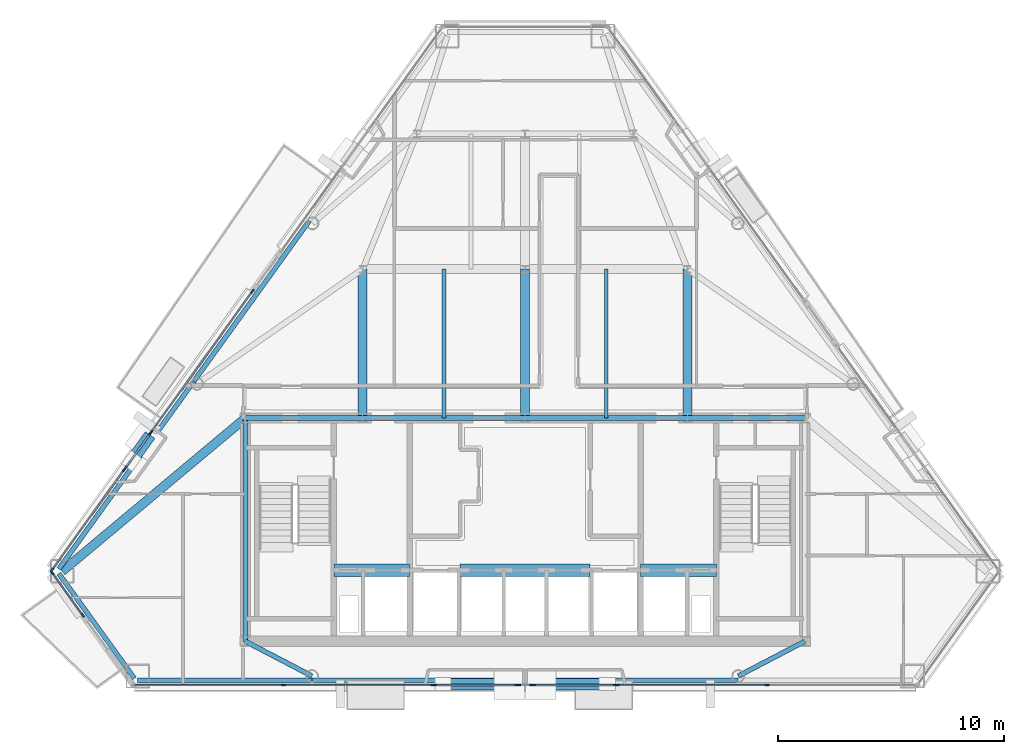
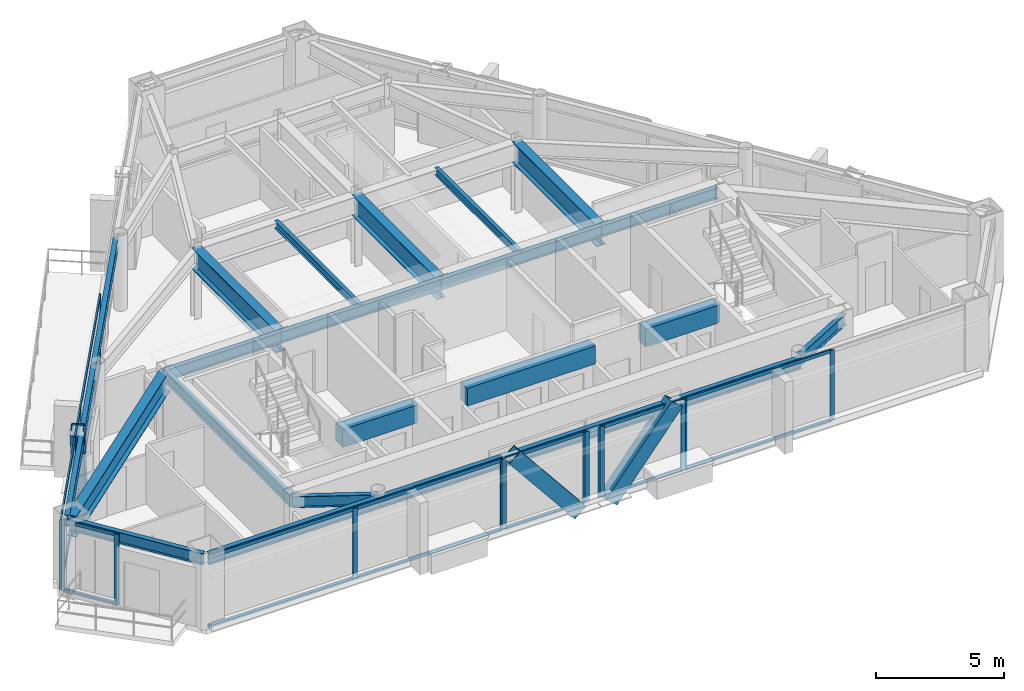
# One storey, part 3 of 12: 39 members, 21 beams, 9 elements without a shape of their own.
"""IFC4 building model written with IfcOpenShell, lengths in metres."""

from ifc_helpers import new_model, si_unit, direction, frame, origin, origin_2d, place, context, subcontext, project, spatial, rectangle, hollow_rectangle, i_section, extrude, material, layer, layer_set, material_profile, profile_set, type_object, element, aggregate, save


model = new_model("IFC4")

# Units and contexts
model_context = context("Model", 3, precision=1e-05, world=origin(), true_north=direction((0.0, 1.0)))
body_context = subcontext(model_context, "Body", "Model", "MODEL_VIEW")
ifc_project = project(units=[si_unit("LENGTHUNIT", "METRE"), si_unit("AREAUNIT", "SQUARE_METRE"), si_unit("VOLUMEUNIT", "CUBIC_METRE"), si_unit("PLANEANGLEUNIT", "RADIAN"), si_unit("MASSUNIT", "GRAM", prefix="KILO")], contexts=[model_context])

# Site, building, storey
site_placement = place(None, origin())
site = spatial("IfcSite", under=ifc_project, at=site_placement, CompositionType="ELEMENT")
building_placement = place(site_placement, origin())
building = spatial("IfcBuilding", under=site, at=building_placement, Name="Talgorran Terracotta Tower", CompositionType="ELEMENT")
storey_placement = place(building_placement, frame((0.0, 0.0, 189.300048828125)))
storey = spatial("IfcBuildingStorey", under=building, at=storey_placement, Name="L49", CompositionType="ELEMENT", Elevation=189.300048828125)

# Beams
ifc_material_1 = material(Name="Steel Grade 350 (350L0)", Category="steel")
ifc_material_profile_1 = material_profile(ifc_material_1, i_section(OverallWidth=0.39990234375, OverallDepth=1.0, WebThickness=0.01611328125, FlangeThickness=0.031005859375, at=origin_2d()), Name="1000WB296")
ifc_profile_set_1 = profile_set([ifc_material_profile_1], Name="Steel Grade 350 (350L0)")
beam_type_1 = type_object("IfcBeamType", Name="BM_1000WB296", PredefinedType="BEAM", material=ifc_profile_set_1)
for number, where, z_axis, x_axis, name in (
    (1, (-7.199951171875, -4.199951171875, 2.849853515625), (0.0, 1.0, 0.0), (-1.0, 0.0, 0.0), "L49 Floor Girder G01"),
    (2, (0.0, -4.199951171875, 2.849853515625), (0.0, 1.0, 0.0), (-1.0, 0.0, 0.0), "L49 Floor Girder G02"),
    (3, (7.199951171875, -4.199951171875, 2.849853515625), (0.0, 1.0, 0.0), (-1.0, 0.0, 0.0), "L49 Floor Girder G03"),
):
    element("IfcBeam", number, at=place(storey_placement, frame(where, z_axis=z_axis, x_axis=x_axis)), inside=storey, type_object=beam_type_1, Name=name, PredefinedType="BEAM", context=body_context, shape_type="SweptSolid", body=[
        extrude(i_section(OverallWidth=0.39990234375, OverallDepth=1.0, WebThickness=0.01611328125, FlangeThickness=0.031005859375, at=origin_2d()), origin(), (0.0, 0.0, 1.0), 6.599853515625),
    ])
beam_1_placement = place(storey_placement, frame((-12.39990234375, -4.199951171875, 2.849853515625), z_axis=(-0.767197947413, -0.641410406436, 0.0), x_axis=(0.641410406436, -0.767197947413, 0.0)))
element("IfcBeam", 4, at=beam_1_placement, inside=storey, type_object=beam_type_1, Name="L49 Floor Girder G17", PredefinedType="BEAM", context=body_context, shape_type="SweptSolid", body=[
    extrude(i_section(OverallWidth=0.39990234375, OverallDepth=1.0, WebThickness=0.01611328125, FlangeThickness=0.031005859375, at=origin_2d()), origin(), (0.0, 0.0, 1.0), 10.589599609375),
])
ifc_material_2 = material(Name="Concrete C50/60", Category="concrete")
ifc_material_profile_2 = material_profile(ifc_material_2, rectangle(XDim=0.550048828125, YDim=0.85009765625, at=origin_2d()), Name="RCCB550X850")
ifc_profile_set_2 = profile_set([ifc_material_profile_2], Name="Concrete C50/60")
beam_type_2 = type_object("IfcBeamType", Name="BM_CB_550X850", PredefinedType="LINTEL", material=ifc_profile_set_2)
beam_2_placement = place(storey_placement, frame((-8.47998046875, -10.949951171875, 2.925048828125), z_axis=(1.0, 0.0, 0.0), x_axis=(0.0, 1.0, 0.0)))
element("IfcBeam", 5, at=beam_2_placement, inside=storey, type_object=beam_type_2, Name="L49 Core Shear-Wall Coupling Beam CB1", PredefinedType="LINTEL", context=body_context, shape_type="SweptSolid", body=[
    extrude(rectangle(XDim=0.550048828125, YDim=0.85009765625, at=origin_2d()), origin(), (0.0, 0.0, 1.0), 3.35986328125),
])
beam_3_placement = place(storey_placement, frame((-2.8798828125, -10.949951171875, 2.925048828125), z_axis=(1.0, 0.0, 0.0), x_axis=(0.0, 1.0, 0.0)))
element("IfcBeam", 6, at=beam_3_placement, inside=storey, type_object=beam_type_2, Name="L49 Core Shear-Wall Coupling Beam CB2", PredefinedType="LINTEL", context=body_context, shape_type="SweptSolid", body=[
    extrude(rectangle(XDim=0.550048828125, YDim=0.85009765625, at=origin_2d()), origin(), (0.0, 0.0, 1.0), 5.759765625),
])
beam_4_placement = place(storey_placement, frame((5.1201171875, -10.949951171875, 2.925048828125), z_axis=(1.0, 0.0, 0.0), x_axis=(0.0, 1.0, 0.0)))
element("IfcBeam", 7, at=beam_4_placement, inside=storey, type_object=beam_type_2, Name="L49 Core Shear-Wall Coupling Beam CB3", PredefinedType="LINTEL", context=body_context, shape_type="SweptSolid", body=[
    extrude(rectangle(XDim=0.550048828125, YDim=0.85009765625, at=origin_2d()), origin(), (0.0, 0.0, 1.0), 3.35986328125),
])
ifc_material_3 = material(Name="Steel S355 (300PLUS)", Category="steel")
ifc_material_profile_3 = material_profile(ifc_material_3, i_section(OverallWidth=0.17138671875, OverallDepth=0.355712890625, WebThickness=0.00732421875, FlangeThickness=0.011474609375, at=origin_2d()), Name="360UB50.7")
ifc_profile_set_3 = profile_set([ifc_material_profile_3], Name="Steel S355 (300PLUS)")
beam_type_3 = type_object("IfcBeamType", Name="BM_JS_360UB51", PredefinedType="JOIST", material=ifc_profile_set_3)
for number, where, z_axis, x_axis, name in (
    (8, (-3.60009765625, -4.199951171875, 3.172119140625), (0.0, 1.0, 0.0), (-1.0, 0.0, 0.0), "L49 Secondary Joist J01"),
    (9, (3.60009765625, -4.199951171875, 3.172119140625), (0.0, 1.0, 0.0), (-1.0, 0.0, 0.0), "L49 Secondary Joist J02"),
):
    element("IfcBeam", number, at=place(storey_placement, frame(where, z_axis=z_axis, x_axis=x_axis)), inside=storey, type_object=beam_type_3, Name=name, PredefinedType="JOIST", context=body_context, shape_type="SweptSolid", body=[
        extrude(i_section(OverallWidth=0.17138671875, OverallDepth=0.355712890625, WebThickness=0.00732421875, FlangeThickness=0.011474609375, at=origin_2d()), origin(), (0.0, 0.0, 1.0), 6.599853515625),
    ])
ifc_material_profile_4 = material_profile(ifc_material_3, i_section(OverallWidth=0.209228515625, OverallDepth=0.532958984375, WebThickness=0.01025390625, FlangeThickness=0.015625, at=origin_2d()), Name="530UB92.4")
ifc_profile_set_4 = profile_set([ifc_material_profile_4], Name="Steel S355 (300PLUS)")
beam_type_4 = type_object("IfcBeamType", Name="BM_SP_530UB92", PredefinedType="SPANDREL", material=ifc_profile_set_4)
beam_5_placement = place(storey_placement, frame((-20.670166015625, -11.09716796875, 3.08349609375), z_axis=(0.583989111458, -0.811761490648, 0.0), x_axis=(0.811761490648, 0.583989111458, 0.0)))
element("IfcBeam", 10, at=beam_5_placement, inside=storey, type_object=beam_type_4, Name="L49 Perimeter Spandrel Beam MC1-MC2", PredefinedType="SPANDREL", context=body_context, shape_type="SweptSolid", body=[
    extrude(i_section(OverallWidth=0.209228515625, OverallDepth=0.532958984375, WebThickness=0.01025390625, FlangeThickness=0.015625, at=origin_2d()), origin(), (0.0, 0.0, 1.0), 5.72705078125),
])
beam_6_placement = place(storey_placement, frame((-17.1796875, -15.821044921875, 3.08349609375), z_axis=(1.0, 0.0, 0.0), x_axis=(0.0, 1.0, 0.0)))
element("IfcBeam", 11, at=beam_6_placement, inside=storey, type_object=beam_type_4, Name="L49 Perimeter Spandrel Beam MC2-FC1", PredefinedType="SPANDREL", context=body_context, shape_type="SweptSolid", body=[
    extrude(i_section(OverallWidth=0.209228515625, OverallDepth=0.532958984375, WebThickness=0.01025390625, FlangeThickness=0.015625, at=origin_2d()), origin(), (0.0, 0.0, 1.0), 7.73095703125),
])
beam_7_placement = place(storey_placement, frame((-9.44873046875, -15.821044921875, 3.08349609375), z_axis=(1.0, 0.0, 0.0), x_axis=(0.0, 1.0, 0.0)))
element("IfcBeam", 12, at=beam_7_placement, inside=storey, type_object=beam_type_4, Name="L49 Perimeter Spandrel Beam FC1-FC2", PredefinedType="SPANDREL", context=body_context, shape_type="SweptSolid", body=[
    extrude(i_section(OverallWidth=0.209228515625, OverallDepth=0.532958984375, WebThickness=0.01025390625, FlangeThickness=0.015625, at=origin_2d()), origin(), (0.0, 0.0, 1.0), 18.8974609375),
])
beam_8_placement = place(storey_placement, frame((-9.573486328125, 4.5380859375, 3.08349609375), z_axis=(-0.583976142064, -0.811770820799, 0.0), x_axis=(0.811770820799, -0.583976142064, 0.0)))
element("IfcBeam", 13, at=beam_8_placement, inside=storey, type_object=beam_type_4, Name="L49 Perimeter Spandrel Beam FC5-FC6", PredefinedType="SPANDREL", context=body_context, shape_type="SweptSolid", body=[
    extrude(i_section(OverallWidth=0.209228515625, OverallDepth=0.532958984375, WebThickness=0.01025390625, FlangeThickness=0.015625, at=origin_2d()), origin(), (0.0, 0.0, 1.0), 8.770263671875),
])
beam_9_placement = place(storey_placement, frame((-14.695068359375, -2.581298828125, 3.08349609375), z_axis=(-0.583984097587, -0.811765097651, 0.0), x_axis=(0.811765097651, -0.583984097587, 0.0)))
element("IfcBeam", 14, at=beam_9_placement, inside=storey, type_object=beam_type_4, Name="L49 Perimeter Spandrel Beam FC6-MC1", PredefinedType="SPANDREL", context=body_context, shape_type="SweptSolid", body=[
    extrude(i_section(OverallWidth=0.209228515625, OverallDepth=0.532958984375, WebThickness=0.01025390625, FlangeThickness=0.015625, at=origin_2d()), origin(), (0.0, 0.0, 1.0), 10.231689453125),
])
for number, where, z_axis, x_axis, name in (
    (15, (-9.44873046875, -15.64111328125, 3.08349609375), (-0.886427890303, 0.462866714394, 0.0), (-0.462866714394, -0.886427890303, 0.0), "L49 South-West Core Tie Beam"),
    (16, (12.39990234375, -14.10009765625, 3.08349609375), (-0.886427890303, -0.462866714394, 0.0), (0.462866714394, -0.886427890303, 0.0), "L49 South-East Core Tie Beam"),
):
    element("IfcBeam", number, at=place(storey_placement, frame(where, z_axis=z_axis, x_axis=x_axis)), inside=storey, type_object=beam_type_4, Name=name, PredefinedType="SPANDREL", context=body_context, shape_type="SweptSolid", body=[
        extrude(i_section(OverallWidth=0.209228515625, OverallDepth=0.532958984375, WebThickness=0.01025390625, FlangeThickness=0.015625, at=origin_2d()), origin(), (0.0, 0.0, 1.0), 3.329345703125),
    ])
beam_10_placement = place(storey_placement, frame((-12.39990234375, -14.10009765625, 3.08349609375), z_axis=(0.0, 1.0, 0.0), x_axis=(-1.0, 0.0, 0.0)))
element("IfcBeam", 17, at=beam_10_placement, inside=storey, type_object=beam_type_4, Name="L49 Core Frame Beam CFW", PredefinedType="SPANDREL", context=body_context, shape_type="SweptSolid", body=[
    extrude(i_section(OverallWidth=0.209228515625, OverallDepth=0.532958984375, WebThickness=0.01025390625, FlangeThickness=0.015625, at=origin_2d()), origin(), (0.0, 0.0, 1.0), 9.900146484375),
])
beam_11_placement = place(storey_placement, frame((-12.39990234375, -4.199951171875, 3.08349609375), z_axis=(1.0, 0.0, 0.0), x_axis=(0.0, 1.0, 0.0)))
element("IfcBeam", 18, at=beam_11_placement, inside=storey, type_object=beam_type_4, Name="L49 Core Frame Beam CFN1", PredefinedType="SPANDREL", context=body_context, shape_type="SweptSolid", body=[
    extrude(i_section(OverallWidth=0.209228515625, OverallDepth=0.532958984375, WebThickness=0.01025390625, FlangeThickness=0.015625, at=origin_2d()), origin(), (0.0, 0.0, 1.0), 5.199951171875),
])
for number, where, z_axis, x_axis, name in (
    (19, (-7.199951171875, -4.199951171875, 3.08349609375), (1.0, 0.0, 0.0), (0.0, 1.0, 0.0), "L49 Core Frame Beam CFN2"),
    (20, (0.0, -4.199951171875, 3.08349609375), (1.0, 0.0, 0.0), (0.0, 1.0, 0.0), "L49 Core Frame Beam CFN3"),
):
    element("IfcBeam", number, at=place(storey_placement, frame(where, z_axis=z_axis, x_axis=x_axis)), inside=storey, type_object=beam_type_4, Name=name, PredefinedType="SPANDREL", context=body_context, shape_type="SweptSolid", body=[
        extrude(i_section(OverallWidth=0.209228515625, OverallDepth=0.532958984375, WebThickness=0.01025390625, FlangeThickness=0.015625, at=origin_2d()), origin(), (0.0, 0.0, 1.0), 7.199951171875),
    ])
beam_12_placement = place(storey_placement, frame((7.199951171875, -4.199951171875, 3.08349609375), z_axis=(1.0, 0.0, 0.0), x_axis=(0.0, 1.0, 0.0)))
element("IfcBeam", 21, at=beam_12_placement, inside=storey, type_object=beam_type_4, Name="L49 Core Frame Beam CFN4", PredefinedType="SPANDREL", context=body_context, shape_type="SweptSolid", body=[
    extrude(i_section(OverallWidth=0.209228515625, OverallDepth=0.532958984375, WebThickness=0.01025390625, FlangeThickness=0.015625, at=origin_2d()), origin(), (0.0, 0.0, 1.0), 5.199951171875),
])

# Members
ifc_material_profile_5 = material_profile(ifc_material_1, hollow_rectangle(XDim=0.52001953125, YDim=0.659912109375, WallThickness=0.034912109375, at=origin_2d()), Name="WBOX660X520X35")
ifc_profile_set_5 = profile_set([ifc_material_profile_5], Name="Steel Grade 350 (350L0)")
member_type_1 = type_object("IfcMemberType", Name="MB_MEGA_660", PredefinedType="BRACE", material=ifc_profile_set_5)
for number, where, z_axis, x_axis, name in (
    (22, (-0.694580078125, -16.001220703125, -0.27001953125), (-0.629349450063, 0.0, 0.777122429033), (0.0, -1.0, 0.0), "L49 Exterior Face Mega-Brace MB-3 (SWF)"),
    (23, (0.694580078125, -16.001220703125, -0.27001953125), (0.629349450063, 0.0, 0.777122429033), (0.0, 1.0, 0.0), "L49 Exterior Face Mega-Brace MB-3 (SEF)"),
):
    element("IfcMember", number, at=place(storey_placement, frame(where, z_axis=z_axis, x_axis=x_axis)), inside=storey, type_object=member_type_1, Name=name, PredefinedType="BRACE", context=body_context, shape_type="SweptSolid", body=[
        extrude(hollow_rectangle(XDim=0.52001953125, YDim=0.659912109375, WallThickness=0.034912109375, at=origin_2d()), origin(), (0.0, 0.0, 1.0), 4.6904296875),
    ])
member_1_placement = place(storey_placement, frame((-16.80810546875, -5.210205078125, -0.27001953125), z_axis=(-0.168475048802, -0.234146327817, 0.957492378612), x_axis=(0.811715631189, -0.584052852132, 0.0)))
element("IfcMember", 24, at=member_1_placement, inside=storey, type_object=member_type_1, Name="L49 Exterior Face Mega-Brace MB-3 (NWL)", PredefinedType="BRACE", context=body_context, shape_type="SweptSolid", body=[
    extrude(hollow_rectangle(XDim=0.52001953125, YDim=0.659912109375, WallThickness=0.034912109375, at=origin_2d()), origin(), (0.0, 0.0, 1.0), 3.806884765625),
])

# Curtain wall, members
ifc_material_4 = material(Name="High-Wind Unitised Glazing", Category="glass")
ifc_layer = layer(ifc_material_4, 0.2099609375, Name="CW_SYS3_RES_HIGH")
ifc_layer_set = layer_set([ifc_layer], Name="High-Wind Unitised Glazing")
curtain_wall_type = type_object("IfcCurtainWallType", Name="CW_SYS3_RES_HIGH", PredefinedType="NOTDEFINED", material=ifc_layer_set)
curtain_wall_1_placement = place(storey_placement, origin())
curtain_wall_1 = element("IfcCurtainWall", 25, at=curtain_wall_1_placement, inside=storey, type_object=curtain_wall_type, Name="CW-L49-F10", PredefinedType="NOTDEFINED")
ifc_material_5 = material(Name="Architectural Aluminium 6063-T6", Category="aluminium")
ifc_material_profile_6 = material_profile(ifc_material_5, rectangle(XDim=0.070068359375, YDim=0.199951171875, at=origin_2d()), Name="CWM70X200")
ifc_profile_set_6 = profile_set([ifc_material_profile_6], Name="Architectural Aluminium 6063-T6")
member_type_2 = type_object("IfcMemberType", Name="MUL_70X200", PredefinedType="MULLION", material=ifc_profile_set_6)
member_2_placement = place(storey_placement, frame((-20.97314453125, -11.052978515625, 0.0), z_axis=(0.0, 0.0, 1.0), x_axis=(0.811771056314, 0.583975814679, 0.0)))
member_2 = element("IfcMember", 26, at=member_2_placement, type_object=member_type_2, Name="CW-L49-10 mullion 1", PredefinedType="MULLION", context=body_context, shape_type="SweptSolid", body=[
    extrude(rectangle(XDim=0.070068359375, YDim=0.199951171875, at=origin_2d()), origin(), (0.0, 0.0, 1.0), 3.349853515625),
])
member_3_placement = place(storey_placement, frame((-19.615234375, -12.9404296875, 0.0), z_axis=(0.0, 0.0, 1.0), x_axis=(0.811771056314, 0.583975814679, 0.0)))
member_3 = element("IfcMember", 27, at=member_3_placement, type_object=member_type_2, Name="CW-L49-10 mullion 2", PredefinedType="MULLION", context=body_context, shape_type="SweptSolid", body=[
    extrude(rectangle(XDim=0.070068359375, YDim=0.199951171875, at=origin_2d()), origin(), (0.0, 0.0, 1.0), 3.349853515625),
])

curtain_wall_2_placement = place(storey_placement, origin())
curtain_wall_2 = element("IfcCurtainWall", 28, at=curtain_wall_2_placement, inside=storey, type_object=curtain_wall_type, Name="CW-L49-F1", PredefinedType="NOTDEFINED")
member_4_placement = place(storey_placement, frame((-10.721435546875, -16.041015625, 0.0), z_axis=(0.0, 0.0, 1.0), x_axis=(0.0, 1.0, 0.0)))
member_4 = element("IfcMember", 29, at=member_4_placement, type_object=member_type_2, Name="CW-L49-1 mullion 2", PredefinedType="MULLION", context=body_context, shape_type="SweptSolid", body=[
    extrude(rectangle(XDim=0.070068359375, YDim=0.199951171875, at=origin_2d()), origin(), (0.0, 0.0, 1.0), 3.349853515625),
])
member_5_placement = place(storey_placement, frame((-4.093017578125, -16.041015625, 0.0), z_axis=(0.0, 0.0, 1.0), x_axis=(0.0, 1.0, 0.0)))
member_5 = element("IfcMember", 30, at=member_5_placement, type_object=member_type_2, Name="CW-L49-1 mullion 3", PredefinedType="MULLION", context=body_context, shape_type="SweptSolid", body=[
    extrude(rectangle(XDim=0.070068359375, YDim=0.199951171875, at=origin_2d()), origin(), (0.0, 0.0, 1.0), 3.349853515625),
])

curtain_wall_3_placement = place(storey_placement, origin())
curtain_wall_3 = element("IfcCurtainWall", 31, at=curtain_wall_3_placement, inside=storey, type_object=curtain_wall_type, Name="CW-L49-F1B", PredefinedType="NOTDEFINED")
member_6_placement = place(storey_placement, frame((-4.012939453125, -16.041015625, 0.0), z_axis=(0.0, 0.0, 1.0), x_axis=(0.0, 1.0, 0.0)))
member_6 = element("IfcMember", 32, at=member_6_placement, type_object=member_type_2, Name="CW-L49-1B mullion 1", PredefinedType="MULLION", context=body_context, shape_type="SweptSolid", body=[
    extrude(rectangle(XDim=0.070068359375, YDim=0.199951171875, at=origin_2d()), origin(), (0.0, 0.0, 1.0), 3.349853515625),
])
member_7_placement = place(storey_placement, frame((-0.378662109375, -16.041015625, 0.0), z_axis=(0.0, 0.0, 1.0), x_axis=(0.0, 1.0, 0.0)))
member_7 = element("IfcMember", 33, at=member_7_placement, type_object=member_type_2, Name="CW-L49-1B mullion 2", PredefinedType="MULLION", context=body_context, shape_type="SweptSolid", body=[
    extrude(rectangle(XDim=0.070068359375, YDim=0.199951171875, at=origin_2d()), origin(), (0.0, 0.0, 1.0), 3.349853515625),
])

curtain_wall_4_placement = place(storey_placement, origin())
curtain_wall_4 = element("IfcCurtainWall", 34, at=curtain_wall_4_placement, inside=storey, type_object=curtain_wall_type, Name="CW-L49-F1C", PredefinedType="NOTDEFINED")
member_8_placement = place(storey_placement, frame((-0.298583984375, -16.041015625, 0.0), z_axis=(0.0, 0.0, 1.0), x_axis=(0.0, 1.0, 0.0)))
member_8 = element("IfcMember", 35, at=member_8_placement, type_object=member_type_2, Name="CW-L49-1C mullion 1", PredefinedType="MULLION", context=body_context, shape_type="SweptSolid", body=[
    extrude(rectangle(XDim=0.070068359375, YDim=0.199951171875, at=origin_2d()), origin(), (0.0, 0.0, 1.0), 3.349853515625),
])
member_9_placement = place(storey_placement, frame((0.298583984375, -16.041015625, 0.0), z_axis=(0.0, 0.0, 1.0), x_axis=(0.0, 1.0, 0.0)))
member_9 = element("IfcMember", 36, at=member_9_placement, type_object=member_type_2, Name="CW-L49-1C mullion 2", PredefinedType="MULLION", context=body_context, shape_type="SweptSolid", body=[
    extrude(rectangle(XDim=0.070068359375, YDim=0.199951171875, at=origin_2d()), origin(), (0.0, 0.0, 1.0), 3.349853515625),
])
aggregate(curtain_wall_4, [member_8, member_9])

curtain_wall_5_placement = place(storey_placement, origin())
curtain_wall_5 = element("IfcCurtainWall", 37, at=curtain_wall_5_placement, inside=storey, type_object=curtain_wall_type, Name="CW-L49-F1D", PredefinedType="NOTDEFINED")
member_10_placement = place(storey_placement, frame((0.378662109375, -16.041015625, 0.0), z_axis=(0.0, 0.0, 1.0), x_axis=(0.0, 1.0, 0.0)))
member_10 = element("IfcMember", 38, at=member_10_placement, type_object=member_type_2, Name="CW-L49-1D mullion 1", PredefinedType="MULLION", context=body_context, shape_type="SweptSolid", body=[
    extrude(rectangle(XDim=0.070068359375, YDim=0.199951171875, at=origin_2d()), origin(), (0.0, 0.0, 1.0), 3.349853515625),
])
member_11_placement = place(storey_placement, frame((4.012939453125, -16.041015625, 0.0), z_axis=(0.0, 0.0, 1.0), x_axis=(0.0, 1.0, 0.0)))
member_11 = element("IfcMember", 39, at=member_11_placement, type_object=member_type_2, Name="CW-L49-1D mullion 2", PredefinedType="MULLION", context=body_context, shape_type="SweptSolid", body=[
    extrude(rectangle(XDim=0.070068359375, YDim=0.199951171875, at=origin_2d()), origin(), (0.0, 0.0, 1.0), 3.349853515625),
])

curtain_wall_6_placement = place(storey_placement, origin())
curtain_wall_6 = element("IfcCurtainWall", 40, at=curtain_wall_6_placement, inside=storey, type_object=curtain_wall_type, Name="CW-L49-F1E", PredefinedType="NOTDEFINED")
member_12_placement = place(storey_placement, frame((4.093017578125, -16.041015625, 0.0), z_axis=(0.0, 0.0, 1.0), x_axis=(0.0, 1.0, 0.0)))
member_12 = element("IfcMember", 41, at=member_12_placement, type_object=member_type_2, Name="CW-L49-1E mullion 1", PredefinedType="MULLION", context=body_context, shape_type="SweptSolid", body=[
    extrude(rectangle(XDim=0.070068359375, YDim=0.199951171875, at=origin_2d()), origin(), (0.0, 0.0, 1.0), 3.349853515625),
])
member_13_placement = place(storey_placement, frame((10.721435546875, -16.041015625, 0.0), z_axis=(0.0, 0.0, 1.0), x_axis=(0.0, 1.0, 0.0)))
member_13 = element("IfcMember", 42, at=member_13_placement, type_object=member_type_2, Name="CW-L49-1E mullion 2", PredefinedType="MULLION", context=body_context, shape_type="SweptSolid", body=[
    extrude(rectangle(XDim=0.070068359375, YDim=0.199951171875, at=origin_2d()), origin(), (0.0, 0.0, 1.0), 3.349853515625),
])

curtain_wall_7_placement = place(storey_placement, origin())
curtain_wall_7 = element("IfcCurtainWall", 43, at=curtain_wall_7_placement, inside=storey, type_object=curtain_wall_type, Name="CW-L49-F61", PredefinedType="NOTDEFINED")
member_14_placement = place(storey_placement, frame((-12.089111328125, 1.41796875, 0.0), z_axis=(0.0, 0.0, 1.0), x_axis=(0.811767169157, -0.583981218088, 0.0)))
member_14 = element("IfcMember", 44, at=member_14_placement, type_object=member_type_2, Name="CW-L49-61 mullion 1", PredefinedType="MULLION", context=body_context, shape_type="SweptSolid", body=[
    extrude(rectangle(XDim=0.070068359375, YDim=0.199951171875, at=origin_2d()), origin(), (0.0, 0.0, 1.0), 3.349853515625),
])
member_15_placement = place(storey_placement, frame((-16.575927734375, -4.819091796875, 0.0), z_axis=(0.0, 0.0, 1.0), x_axis=(0.811767169157, -0.583981218088, 0.0)))
member_15 = element("IfcMember", 45, at=member_15_placement, type_object=member_type_2, Name="CW-L49-61 mullion 2", PredefinedType="MULLION", context=body_context, shape_type="SweptSolid", body=[
    extrude(rectangle(XDim=0.070068359375, YDim=0.199951171875, at=origin_2d()), origin(), (0.0, 0.0, 1.0), 3.349853515625),
])

curtain_wall_8_placement = place(storey_placement, origin())
curtain_wall_8 = element("IfcCurtainWall", 46, at=curtain_wall_8_placement, inside=storey, type_object=curtain_wall_type, Name="CW-L49-F61B", PredefinedType="NOTDEFINED")
member_16_placement = place(storey_placement, frame((-16.62255859375, -4.8837890625, 0.0), z_axis=(0.0, 0.0, 1.0), x_axis=(0.81174351132, -0.584014102424, 0.0)))
member_16 = element("IfcMember", 47, at=member_16_placement, type_object=member_type_2, Name="CW-L49-61B mullion 1", PredefinedType="MULLION", context=body_context, shape_type="SweptSolid", body=[
    extrude(rectangle(XDim=0.070068359375, YDim=0.199951171875, at=origin_2d()), origin(), (0.0, 0.0, 1.0), 3.349853515625),
])
member_17_placement = place(storey_placement, frame((-17.730712890625, -6.424072265625, 0.0), z_axis=(0.0, 0.0, 1.0), x_axis=(0.81174351132, -0.584014102424, 0.0)))
member_17 = element("IfcMember", 48, at=member_17_placement, type_object=member_type_2, Name="CW-L49-61B mullion 2", PredefinedType="MULLION", context=body_context, shape_type="SweptSolid", body=[
    extrude(rectangle(XDim=0.070068359375, YDim=0.199951171875, at=origin_2d()), origin(), (0.0, 0.0, 1.0), 3.349853515625),
])

curtain_wall_9_placement = place(storey_placement, origin())
curtain_wall_9 = element("IfcCurtainWall", 49, at=curtain_wall_9_placement, inside=storey, type_object=curtain_wall_type, Name="CW-L49-F61C", PredefinedType="NOTDEFINED")
member_18_placement = place(storey_placement, frame((-17.77734375, -6.489013671875, 0.0), z_axis=(0.0, 0.0, 1.0), x_axis=(0.811763574008, -0.583986215516, 0.0)))
member_18 = element("IfcMember", 50, at=member_18_placement, type_object=member_type_2, Name="CW-L49-61C mullion 1", PredefinedType="MULLION", context=body_context, shape_type="SweptSolid", body=[
    extrude(rectangle(XDim=0.070068359375, YDim=0.199951171875, at=origin_2d()), origin(), (0.0, 0.0, 1.0), 3.349853515625),
])
member_19_placement = place(storey_placement, frame((-20.97314453125, -10.93115234375, 0.0), z_axis=(0.0, 0.0, 1.0), x_axis=(0.811763574008, -0.583986215516, 0.0)))
member_19 = element("IfcMember", 51, at=member_19_placement, type_object=member_type_2, Name="CW-L49-61C mullion 2", PredefinedType="MULLION", context=body_context, shape_type="SweptSolid", body=[
    extrude(rectangle(XDim=0.070068359375, YDim=0.199951171875, at=origin_2d()), origin(), (0.0, 0.0, 1.0), 3.349853515625),
])

# Member
ifc_material_profile_7 = material_profile(ifc_material_5, rectangle(XDim=0.070068359375, YDim=0.159912109375, at=origin_2d()), Name="CWT70X160")
ifc_profile_set_7 = profile_set([ifc_material_profile_7], Name="Architectural Aluminium 6063-T6")
member_type_3 = type_object("IfcMemberType", Name="TRN_70X160", PredefinedType="USERDEFINED", material=ifc_profile_set_7)
member_20_placement = place(storey_placement, frame((-20.95263671875, -11.08154296875, 0.034912109375), z_axis=(0.58397954274, -0.811768374391, 0.0), x_axis=(0.811768374391, 0.58397954274, 0.0)))
member_20 = element("IfcMember", 52, at=member_20_placement, type_object=member_type_3, Name="CW-L49-10 transom 1.1", ObjectType="TRANSOM", PredefinedType="USERDEFINED", context=body_context, shape_type="SweptSolid", body=[
    extrude(rectangle(XDim=0.070068359375, YDim=0.159912109375, at=origin_2d()), origin(), (0.0, 0.0, 1.0), 2.255126953125),
])

member_21_placement = place(storey_placement, frame((-20.95263671875, -11.08154296875, 3.31494140625), z_axis=(0.58397954274, -0.811768374391, 0.0), x_axis=(0.811768374391, 0.58397954274, 0.0)))
member_21 = element("IfcMember", 53, at=member_21_placement, type_object=member_type_3, Name="CW-L49-10 transom 1.2", ObjectType="TRANSOM", PredefinedType="USERDEFINED", context=body_context, shape_type="SweptSolid", body=[
    extrude(rectangle(XDim=0.070068359375, YDim=0.159912109375, at=origin_2d()), origin(), (0.0, 0.0, 1.0), 2.255126953125),
])

aggregate(curtain_wall_1, [member_2, member_3, member_20, member_21])

member_22_placement = place(storey_placement, frame((-17.314697265625, -16.041015625, 0.034912109375), z_axis=(1.0, 0.0, 0.0), x_axis=(0.0, 1.0, 0.0)))
member_22 = element("IfcMember", 54, at=member_22_placement, type_object=member_type_3, Name="CW-L49-1 transom 1.1", ObjectType="TRANSOM", PredefinedType="USERDEFINED", context=body_context, shape_type="SweptSolid", body=[
    extrude(rectangle(XDim=0.070068359375, YDim=0.159912109375, at=origin_2d()), origin(), (0.0, 0.0, 1.0), 6.558349609375),
])

member_23_placement = place(storey_placement, frame((-17.314697265625, -16.041015625, 3.31494140625), z_axis=(1.0, 0.0, 0.0), x_axis=(0.0, 1.0, 0.0)))
member_23 = element("IfcMember", 55, at=member_23_placement, type_object=member_type_3, Name="CW-L49-1 transom 1.2", ObjectType="TRANSOM", PredefinedType="USERDEFINED", context=body_context, shape_type="SweptSolid", body=[
    extrude(rectangle(XDim=0.070068359375, YDim=0.159912109375, at=origin_2d()), origin(), (0.0, 0.0, 1.0), 6.558349609375),
])

member_24_placement = place(storey_placement, frame((-10.686279296875, -16.041015625, 0.034912109375), z_axis=(1.0, 0.0, 0.0), x_axis=(0.0, 1.0, 0.0)))
member_24 = element("IfcMember", 56, at=member_24_placement, type_object=member_type_3, Name="CW-L49-1 transom 2.1", ObjectType="TRANSOM", PredefinedType="USERDEFINED", context=body_context, shape_type="SweptSolid", body=[
    extrude(rectangle(XDim=0.070068359375, YDim=0.159912109375, at=origin_2d()), origin(), (0.0, 0.0, 1.0), 6.558349609375),
])

member_25_placement = place(storey_placement, frame((-10.686279296875, -16.041015625, 3.31494140625), z_axis=(1.0, 0.0, 0.0), x_axis=(0.0, 1.0, 0.0)))
member_25 = element("IfcMember", 57, at=member_25_placement, type_object=member_type_3, Name="CW-L49-1 transom 2.2", ObjectType="TRANSOM", PredefinedType="USERDEFINED", context=body_context, shape_type="SweptSolid", body=[
    extrude(rectangle(XDim=0.070068359375, YDim=0.159912109375, at=origin_2d()), origin(), (0.0, 0.0, 1.0), 6.558349609375),
])

aggregate(curtain_wall_2, [member_4, member_5, member_22, member_23, member_24, member_25])

member_26_placement = place(storey_placement, frame((-3.97802734375, -16.041015625, 0.034912109375), z_axis=(1.0, 0.0, 0.0), x_axis=(0.0, 1.0, 0.0)))
member_26 = element("IfcMember", 58, at=member_26_placement, type_object=member_type_3, Name="CW-L49-1B transom 1.1", ObjectType="TRANSOM", PredefinedType="USERDEFINED", context=body_context, shape_type="SweptSolid", body=[
    extrude(rectangle(XDim=0.070068359375, YDim=0.159912109375, at=origin_2d()), origin(), (0.0, 0.0, 1.0), 3.564453125),
])

member_27_placement = place(storey_placement, frame((-3.97802734375, -16.041015625, 3.31494140625), z_axis=(1.0, 0.0, 0.0), x_axis=(0.0, 1.0, 0.0)))
member_27 = element("IfcMember", 59, at=member_27_placement, type_object=member_type_3, Name="CW-L49-1B transom 1.2", ObjectType="TRANSOM", PredefinedType="USERDEFINED", context=body_context, shape_type="SweptSolid", body=[
    extrude(rectangle(XDim=0.070068359375, YDim=0.159912109375, at=origin_2d()), origin(), (0.0, 0.0, 1.0), 3.564453125),
])

aggregate(curtain_wall_3, [member_6, member_7, member_26, member_27])

member_28_placement = place(storey_placement, frame((0.41357421875, -16.041015625, 0.034912109375), z_axis=(1.0, 0.0, 0.0), x_axis=(0.0, 1.0, 0.0)))
member_28 = element("IfcMember", 60, at=member_28_placement, type_object=member_type_3, Name="CW-L49-1D transom 1.1", ObjectType="TRANSOM", PredefinedType="USERDEFINED", context=body_context, shape_type="SweptSolid", body=[
    extrude(rectangle(XDim=0.070068359375, YDim=0.159912109375, at=origin_2d()), origin(), (0.0, 0.0, 1.0), 3.564453125),
])

member_29_placement = place(storey_placement, frame((0.41357421875, -16.041015625, 3.31494140625), z_axis=(1.0, 0.0, 0.0), x_axis=(0.0, 1.0, 0.0)))
member_29 = element("IfcMember", 61, at=member_29_placement, type_object=member_type_3, Name="CW-L49-1D transom 1.2", ObjectType="TRANSOM", PredefinedType="USERDEFINED", context=body_context, shape_type="SweptSolid", body=[
    extrude(rectangle(XDim=0.070068359375, YDim=0.159912109375, at=origin_2d()), origin(), (0.0, 0.0, 1.0), 3.564453125),
])

aggregate(curtain_wall_5, [member_10, member_11, member_28, member_29])

member_30_placement = place(storey_placement, frame((4.1279296875, -16.041015625, 0.034912109375), z_axis=(1.0, 0.0, 0.0), x_axis=(0.0, 1.0, 0.0)))
member_30 = element("IfcMember", 62, at=member_30_placement, type_object=member_type_3, Name="CW-L49-1E transom 1.1", ObjectType="TRANSOM", PredefinedType="USERDEFINED", context=body_context, shape_type="SweptSolid", body=[
    extrude(rectangle(XDim=0.070068359375, YDim=0.159912109375, at=origin_2d()), origin(), (0.0, 0.0, 1.0), 6.558349609375),
])

member_31_placement = place(storey_placement, frame((4.1279296875, -16.041015625, 3.31494140625), z_axis=(1.0, 0.0, 0.0), x_axis=(0.0, 1.0, 0.0)))
member_31 = element("IfcMember", 63, at=member_31_placement, type_object=member_type_3, Name="CW-L49-1E transom 1.2", ObjectType="TRANSOM", PredefinedType="USERDEFINED", context=body_context, shape_type="SweptSolid", body=[
    extrude(rectangle(XDim=0.070068359375, YDim=0.159912109375, at=origin_2d()), origin(), (0.0, 0.0, 1.0), 6.558349609375),
])

aggregate(curtain_wall_6, [member_12, member_13, member_30, member_31])

member_32_placement = place(storey_placement, frame((-12.109375, 1.3896484375, 0.034912109375), z_axis=(-0.583986199551, -0.811763585494, 0.0), x_axis=(0.811763585494, -0.583986199551, 0.0)))
member_32 = element("IfcMember", 64, at=member_32_placement, type_object=member_type_3, Name="CW-L49-61 transom 1.1", ObjectType="TRANSOM", PredefinedType="USERDEFINED", context=body_context, shape_type="SweptSolid", body=[
    extrude(rectangle(XDim=0.070068359375, YDim=0.159912109375, at=origin_2d()), origin(), (0.0, 0.0, 1.0), 7.61328125),
])

member_33_placement = place(storey_placement, frame((-12.109375, 1.3896484375, 3.31494140625), z_axis=(-0.583986199551, -0.811763585494, 0.0), x_axis=(0.811763585494, -0.583986199551, 0.0)))
member_33 = element("IfcMember", 65, at=member_33_placement, type_object=member_type_3, Name="CW-L49-61 transom 1.2", ObjectType="TRANSOM", PredefinedType="USERDEFINED", context=body_context, shape_type="SweptSolid", body=[
    extrude(rectangle(XDim=0.070068359375, YDim=0.159912109375, at=origin_2d()), origin(), (0.0, 0.0, 1.0), 7.61328125),
])

aggregate(curtain_wall_7, [member_14, member_15, member_32, member_33])

member_34_placement = place(storey_placement, frame((-16.64306640625, -4.912353515625, 0.034912109375), z_axis=(-0.584040698917, -0.81172437564, 0.0), x_axis=(0.81172437564, -0.584040698917, 0.0)))
member_34 = element("IfcMember", 66, at=member_34_placement, type_object=member_type_3, Name="CW-L49-61B transom 1.1", ObjectType="TRANSOM", PredefinedType="USERDEFINED", context=body_context, shape_type="SweptSolid", body=[
    extrude(rectangle(XDim=0.070068359375, YDim=0.159912109375, at=origin_2d()), origin(), (0.0, 0.0, 1.0), 1.8271484375),
])

member_35_placement = place(storey_placement, frame((-16.64306640625, -4.912353515625, 3.31494140625), z_axis=(-0.584040698917, -0.81172437564, 0.0), x_axis=(0.81172437564, -0.584040698917, 0.0)))
member_35 = element("IfcMember", 67, at=member_35_placement, type_object=member_type_3, Name="CW-L49-61B transom 1.2", ObjectType="TRANSOM", PredefinedType="USERDEFINED", context=body_context, shape_type="SweptSolid", body=[
    extrude(rectangle(XDim=0.070068359375, YDim=0.159912109375, at=origin_2d()), origin(), (0.0, 0.0, 1.0), 1.8271484375),
])

aggregate(curtain_wall_8, [member_16, member_17, member_34, member_35])

member_36_placement = place(storey_placement, frame((-17.7978515625, -6.517333984375, 0.034912109375), z_axis=(-0.583966571074, -0.811777705944, 0.0), x_axis=(0.811777705944, -0.583966571074, 0.0)))
member_36 = element("IfcMember", 68, at=member_36_placement, type_object=member_type_3, Name="CW-L49-61C transom 1.1", ObjectType="TRANSOM", PredefinedType="USERDEFINED", context=body_context, shape_type="SweptSolid", body=[
    extrude(rectangle(XDim=0.070068359375, YDim=0.159912109375, at=origin_2d()), origin(), (0.0, 0.0, 1.0), 5.40234375),
])

member_37_placement = place(storey_placement, frame((-17.7978515625, -6.517333984375, 3.31494140625), z_axis=(-0.583966571074, -0.811777705944, 0.0), x_axis=(0.811777705944, -0.583966571074, 0.0)))
member_37 = element("IfcMember", 69, at=member_37_placement, type_object=member_type_3, Name="CW-L49-61C transom 1.2", ObjectType="TRANSOM", PredefinedType="USERDEFINED", context=body_context, shape_type="SweptSolid", body=[
    extrude(rectangle(XDim=0.070068359375, YDim=0.159912109375, at=origin_2d()), origin(), (0.0, 0.0, 1.0), 5.40234375),
])

aggregate(curtain_wall_9, [member_18, member_19, member_36, member_37])

save(model, "model.ifc")
